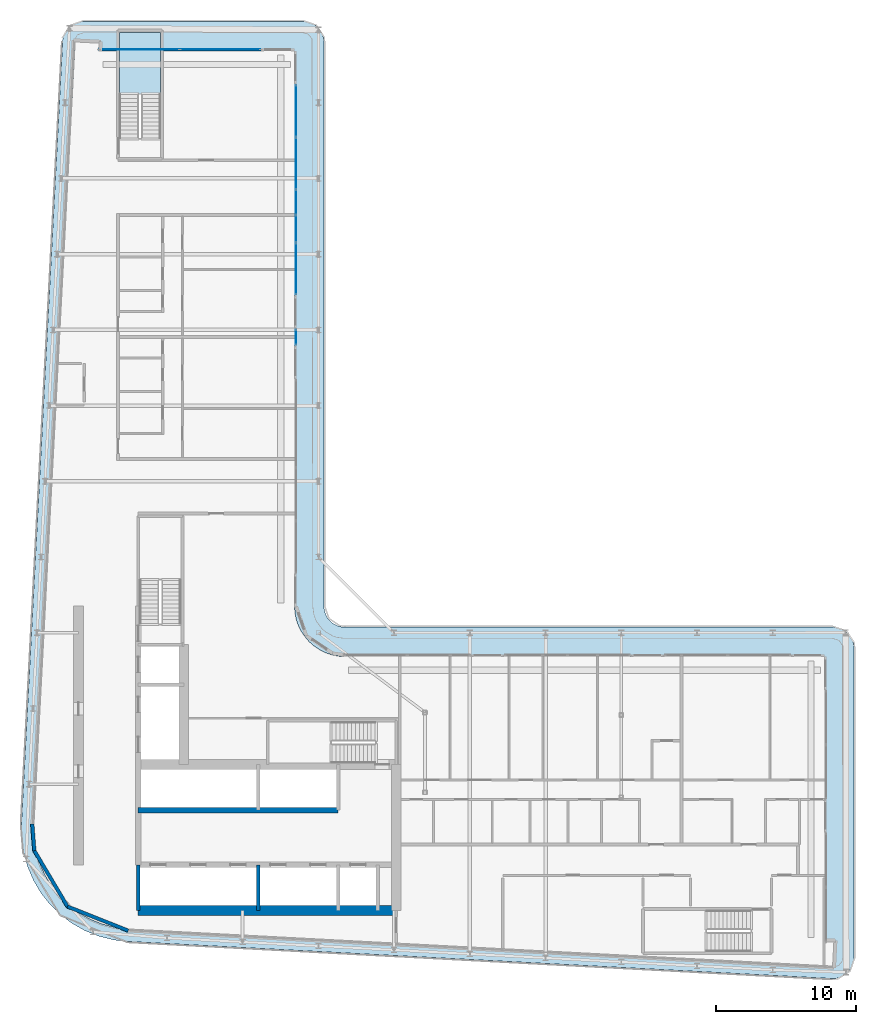
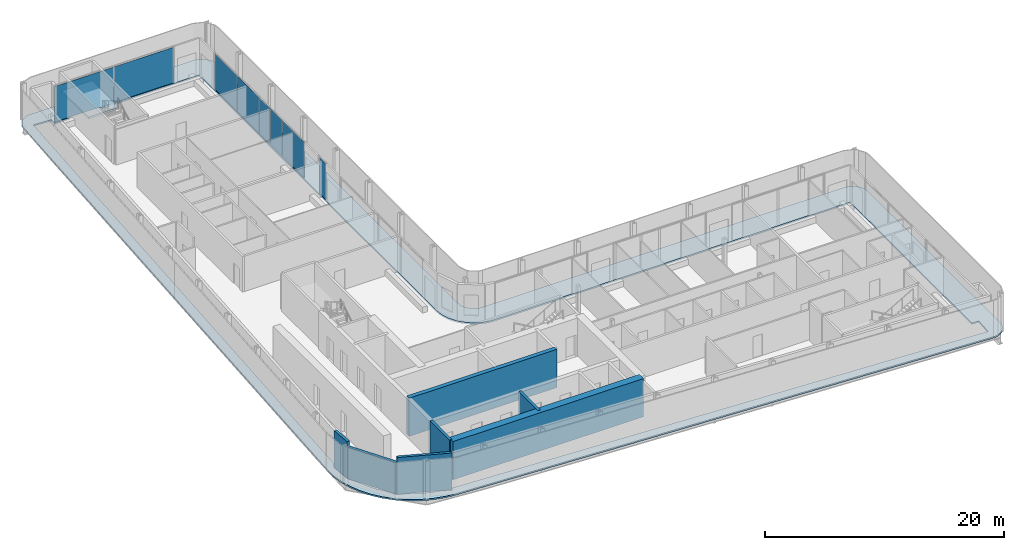
# One storey, part 9 of 21: 8 plates, 7 walls, 2 slabs, 5 elements without a shape of their own.
"""IFC4 building model written with IfcOpenShell, lengths in metres."""

from ifc_helpers import new_model, si_unit, direction, frame, frame_2d, origin, origin_2d, place, context, subcontext, project, spatial, polyline, rectangle, outline, extrude, material, layer, layer_set, type_object, element, aggregate, save


model = new_model("IFC4")

# Units and contexts
model_context = context("Model", 3, precision=1e-05, world=origin(), true_north=direction((0.0, 1.0)))
body_context = subcontext(model_context, "Body", "Model", "MODEL_VIEW")
ifc_project = project(units=[si_unit("LENGTHUNIT", "METRE"), si_unit("AREAUNIT", "SQUARE_METRE"), si_unit("VOLUMEUNIT", "CUBIC_METRE"), si_unit("PLANEANGLEUNIT", "RADIAN"), si_unit("MASSUNIT", "GRAM", prefix="KILO")], contexts=[model_context])

# Site, building, storey
site_placement = place(None, origin())
site = spatial("IfcSite", under=ifc_project, at=site_placement, CompositionType="ELEMENT")
building_placement = place(site_placement, origin())
building = spatial("IfcBuilding", under=site, at=building_placement, Name="Kheshtan School and Residences Tower", CompositionType="ELEMENT")
storey_placement = place(building_placement, frame((0.0, 0.0, 224.0)))
storey = spatial("IfcBuildingStorey", under=building, at=storey_placement, Name="L52", CompositionType="ELEMENT", Elevation=224.0)

# Curtain wall, plates
ifc_material_1 = material(Name="Clear low-e glass in thermally broken aluminium frame", Category="aluminium")
ifc_layer_1 = layer(ifc_material_1, 0.199951171875)
ifc_layer_set_1 = layer_set([ifc_layer_1], Name="Curtain wall CW-L")
curtain_wall_type = type_object("IfcCurtainWallType", Name="Curtain wall CW-L", PredefinedType="NOTDEFINED", material=ifc_layer_set_1)
curtain_wall_1_placement = place(storey_placement, origin())
curtain_wall_1 = element("IfcCurtainWall", 1, at=curtain_wall_1_placement, inside=storey, type_object=curtain_wall_type, Name="Curtain wall CWL3", PredefinedType="NOTDEFINED")
ifc_layer_2 = layer(ifc_material_1, 0.031982421875)
ifc_layer_set_2 = layer_set([ifc_layer_2], Name="CW-L glass panel")
plate_type = type_object("IfcPlateType", Name="CW-L glass panel", PredefinedType="CURTAIN_PANEL", material=ifc_layer_set_2)
plate_1_placement = place(storey_placement, frame((34.8330078125, 87.199951171875, 0.0), z_axis=(0.0, 0.0, 1.0), x_axis=(1.0, 0.0, 0.0)))
plate_1 = element("IfcPlate", 2, at=plate_1_placement, type_object=plate_type, Name="CWL3 panel 1.1", PredefinedType="CURTAIN_PANEL", context=body_context, shape_type="SweptSolid", body=[
    extrude(rectangle(XDim=5.697998046875, YDim=0.031982421875, at=origin_2d()), origin(), (0.0, 0.0, 1.0), 3.6298828125),
])
plate_2_placement = place(storey_placement, frame((40.591064453125, 87.199951171875, 0.0), z_axis=(0.0, 0.0, 1.0), x_axis=(1.0, 0.0, 0.0)))
plate_2 = element("IfcPlate", 3, at=plate_2_placement, type_object=plate_type, Name="CWL3 panel 2.1", PredefinedType="CURTAIN_PANEL", context=body_context, shape_type="SweptSolid", body=[
    extrude(rectangle(XDim=5.697998046875, YDim=0.031982421875, at=origin_2d()), origin(), (0.0, 0.0, 1.0), 3.6298828125),
])
aggregate(curtain_wall_1, [plate_1, plate_2])

curtain_wall_2_placement = place(storey_placement, origin())
curtain_wall_2 = element("IfcCurtainWall", 4, at=curtain_wall_2_placement, inside=storey, type_object=curtain_wall_type, Name="Curtain wall CWL4a", PredefinedType="NOTDEFINED")
plate_3_placement = place(storey_placement, frame((46.0, 82.8056640625, 0.0), z_axis=(0.0, 0.0, 1.0), x_axis=(0.0, -1.0, 0.0)))
plate_3 = element("IfcPlate", 5, at=plate_3_placement, type_object=plate_type, Name="CWL4a panel 1.1", PredefinedType="CURTAIN_PANEL", context=body_context, shape_type="SweptSolid", body=[
    extrude(rectangle(XDim=3.668701171875, YDim=0.031982421875, at=origin_2d()), origin(), (0.0, 0.0, 1.0), 3.6298828125),
])
plate_4_placement = place(storey_placement, frame((46.0, 79.076904296875, 0.0), z_axis=(0.0, 0.0, 1.0), x_axis=(0.0, -1.0, 0.0)))
plate_4 = element("IfcPlate", 6, at=plate_4_placement, type_object=plate_type, Name="CWL4a panel 2.1", PredefinedType="CURTAIN_PANEL", context=body_context, shape_type="SweptSolid", body=[
    extrude(rectangle(XDim=3.668701171875, YDim=0.031982421875, at=origin_2d()), origin(), (0.0, 0.0, 1.0), 3.6298828125),
])
aggregate(curtain_wall_2, [plate_3, plate_4])

curtain_wall_3_placement = place(storey_placement, origin())
curtain_wall_3 = element("IfcCurtainWall", 7, at=curtain_wall_3_placement, inside=storey, type_object=curtain_wall_type, Name="Curtain wall CWL4", PredefinedType="NOTDEFINED")
plate_5_placement = place(storey_placement, frame((46.0, 76.30615234375, 0.0), z_axis=(0.0, 0.0, 1.0), x_axis=(0.0, -1.0, 0.0)))
plate_5 = element("IfcPlate", 8, at=plate_5_placement, type_object=plate_type, Name="CWL4 panel 1.1", PredefinedType="CURTAIN_PANEL", context=body_context, shape_type="SweptSolid", body=[
    extrude(rectangle(XDim=1.75244140625, YDim=0.031982421875, at=origin_2d()), origin(), (0.0, 0.0, 1.0), 3.6298828125),
])
plate_6_placement = place(storey_placement, frame((46.0, 74.411865234375, 0.0), z_axis=(0.0, 0.0, 1.0), x_axis=(0.0, -1.0, 0.0)))
plate_6 = element("IfcPlate", 9, at=plate_6_placement, type_object=plate_type, Name="CWL4 panel 2.1", PredefinedType="CURTAIN_PANEL", context=body_context, shape_type="SweptSolid", body=[
    extrude(rectangle(XDim=1.916259765625, YDim=0.031982421875, at=origin_2d()), origin(), (0.0, 0.0, 1.0), 3.6298828125),
])
plate_7_placement = place(storey_placement, frame((46.0, 71.559326171875, 0.0), z_axis=(0.0, 0.0, 1.0), x_axis=(0.0, -1.0, 0.0)))
plate_7 = element("IfcPlate", 10, at=plate_7_placement, type_object=plate_type, Name="CWL4 panel 3.1", PredefinedType="CURTAIN_PANEL", context=body_context, shape_type="SweptSolid", body=[
    extrude(rectangle(XDim=3.668701171875, YDim=0.031982421875, at=origin_2d()), origin(), (0.0, 0.0, 1.0), 3.6298828125),
])
aggregate(curtain_wall_3, [plate_5, plate_6, plate_7])

# Curtain wall, plate
curtain_wall_4_placement = place(storey_placement, origin())
curtain_wall_4 = element("IfcCurtainWall", 11, at=curtain_wall_4_placement, inside=storey, type_object=curtain_wall_type, Name="Curtain wall CWL4h", PredefinedType="NOTDEFINED")
plate_8_placement = place(storey_placement, frame((46.0, 66.6650390625, 0.0), z_axis=(0.0, 0.0, 1.0), x_axis=(0.0, -1.0, 0.0)))
plate_8 = element("IfcPlate", 12, at=plate_8_placement, type_object=plate_type, Name="CWL4h panel 1.1", PredefinedType="CURTAIN_PANEL", context=body_context, shape_type="SweptSolid", body=[
    extrude(rectangle(XDim=1.080078125, YDim=0.031982421875, at=origin_2d()), origin(), (0.0, 0.0, 1.0), 3.6298828125),
])
aggregate(curtain_wall_4, [plate_8])

# Slab
ifc_material_2 = material(Name="Concrete C40/50", Category="concrete")
ifc_layer_3 = layer(ifc_material_2, 0.14990234375)
ifc_layer_set_3 = layer_set([ifc_layer_3], Name="Loggia balcony slab 150 Concrete C40/50")
slab_type_1 = type_object("IfcSlabType", Name="Loggia balcony slab 150 Concrete C40/50", PredefinedType="FLOOR", material=ifc_layer_set_3)
slab_1_placement = place(storey_placement, frame((0.0, 0.0, -0.14990234375)))
element("IfcSlab", 13, at=slab_1_placement, inside=storey, type_object=slab_type_1, Name="Loggia balcony slab L52", PredefinedType="FLOOR", context=body_context, shape_type="SweptSolid", body=[
    extrude(outline(polyline([(28.4580078125, 26.222900390625), (28.45703125, 26.222900390625), (28.45703125, 26.22412109375), (28.4560546875, 26.22412109375), (27.81494140625, 27.0390625), (27.281005859375, 27.93798828125), (26.867919921875, 28.89990234375), (26.583984375, 29.89990234375), (26.583984375, 29.906982421875), (26.43408203125, 30.943115234375), (26.419921875, 31.989013671875), (29.35693359375, 87.779052734375), (29.363037109375, 87.826904296875), (29.363037109375, 87.827880859375), (29.362060546875, 87.827880859375), (29.362060546875, 87.8291015625), (29.361083984375, 87.8291015625), (29.361083984375, 87.830078125), (29.360107421875, 87.830078125), (29.360107421875, 87.8310546875), (29.35888671875, 87.8310546875), (29.35888671875, 87.83203125), (29.35888671875, 87.8330078125), (29.376953125, 87.98095703125), (29.376953125, 87.98388671875), (29.376953125, 87.985107421875), (29.3779296875, 87.985107421875), (29.3779296875, 87.986083984375), (29.37890625, 87.986083984375), (29.37890625, 87.987060546875), (29.3798828125, 87.987060546875), (29.381103515625, 87.987060546875), (29.381103515625, 87.988037109375), (29.382080078125, 87.988037109375), (29.382080078125, 87.989013671875), (29.382080078125, 87.990966796875), (29.43505859375, 88.18408203125), (29.514892578125, 88.375), (29.62109375, 88.552978515625), (29.742919921875, 88.70703125), (29.743896484375, 88.70703125), (29.743896484375, 88.7080078125), (29.7451171875, 88.7080078125), (29.7451171875, 88.708984375), (29.74609375, 88.708984375), (29.74609375, 88.7099609375), (29.7470703125, 88.7099609375), (29.7470703125, 88.7109375), (29.748046875, 88.7109375), (29.748046875, 88.7119140625), (29.7490234375, 88.7119140625), (29.7490234375, 88.712890625), (29.75, 88.712890625), (29.75390625, 88.712890625), (29.7548828125, 88.712890625), (29.7548828125, 88.714111328125), (29.89990234375, 88.85693359375), (29.90087890625, 88.85693359375), (29.90087890625, 88.85791015625), (29.902099609375, 88.85791015625), (29.902099609375, 88.85888671875), (29.903076171875, 88.85888671875), (29.903076171875, 88.860107421875), (29.904052734375, 88.860107421875), (29.904052734375, 88.861083984375), (29.905029296875, 88.861083984375), (29.905029296875, 88.862060546875), (29.906005859375, 88.862060546875), (29.906005859375, 88.863037109375), (29.906982421875, 88.863037109375), (29.906982421875, 88.864013671875), (30.068115234375, 88.97705078125), (30.2509765625, 89.072998046875), (30.43896484375, 89.14306640625), (30.446044921875, 89.14306640625), (30.64794921875, 89.18603515625), (30.85498046875, 89.199951171875), (46.5, 89.199951171875), (46.696044921875, 89.18701171875), (46.887939453125, 89.14892578125), (46.89501953125, 89.14892578125), (47.073974609375, 89.0859375), (47.242919921875, 89.0009765625), (47.243896484375, 89.0009765625), (47.2470703125, 89.0009765625), (47.248046875, 89.0009765625), (47.248046875, 89.001953125), (47.2490234375, 89.001953125), (47.2490234375, 89.0029296875), (47.25, 89.0029296875), (47.2529296875, 89.0029296875), (47.25390625, 89.0029296875), (47.25390625, 89.001953125), (47.2548828125, 89.001953125), (47.2548828125, 89.0009765625), (47.256103515625, 89.0009765625), (47.256103515625, 89.0), (47.257080078125, 89.0), (47.257080078125, 88.9990234375), (47.258056640625, 88.9990234375), (47.258056640625, 88.998046875), (47.412109375, 88.89599609375), (47.4130859375, 88.89599609375), (47.4130859375, 88.89501953125), (47.4140625, 88.89501953125), (47.4140625, 88.89404296875), (47.4140625, 88.889892578125), (47.4140625, 88.888916015625), (47.4150390625, 88.888916015625), (47.4150390625, 88.887939453125), (47.416015625, 88.887939453125), (47.416015625, 88.886962890625), (47.4169921875, 88.886962890625), (47.4169921875, 88.885986328125), (47.554931640625, 88.76806640625), (47.554931640625, 88.76708984375), (47.555908203125, 88.76708984375), (47.555908203125, 88.76611328125), (47.556884765625, 88.76611328125), (47.556884765625, 88.764892578125), (47.55810546875, 88.764892578125), (47.55810546875, 88.763916015625), (47.55908203125, 88.763916015625), (47.55908203125, 88.762939453125), (47.56005859375, 88.762939453125), (47.56005859375, 88.761962890625), (47.56103515625, 88.761962890625), (47.56201171875, 88.760986328125), (47.56201171875, 88.760009765625), (47.56298828125, 88.760009765625), (47.56298828125, 88.759033203125), (47.56396484375, 88.759033203125), (47.56396484375, 88.758056640625), (47.56494140625, 88.758056640625), (47.56494140625, 88.757080078125), (47.56591796875, 88.757080078125), (47.56591796875, 88.756103515625), (47.56689453125, 88.756103515625), (47.56689453125, 88.7548828125), (47.568115234375, 88.7548828125), (47.68505859375, 88.617919921875), (47.68603515625, 88.617919921875), (47.68603515625, 88.616943359375), (47.68701171875, 88.616943359375), (47.68701171875, 88.615966796875), (47.68798828125, 88.615966796875), (47.68798828125, 88.614990234375), (47.68896484375, 88.614990234375), (47.68896484375, 88.614013671875), (47.68994140625, 88.614013671875), (47.694091796875, 88.614013671875), (47.695068359375, 88.614013671875), (47.695068359375, 88.613037109375), (47.696044921875, 88.613037109375), (47.696044921875, 88.612060546875), (47.797119140625, 88.458984375), (47.798095703125, 88.458984375), (47.798095703125, 88.4580078125), (47.799072265625, 88.4580078125), (47.799072265625, 88.45703125), (47.800048828125, 88.45703125), (47.800048828125, 88.4560546875), (47.801025390625, 88.4560546875), (47.801025390625, 88.455078125), (47.802001953125, 88.455078125), (47.802001953125, 88.4541015625), (47.802978515625, 88.4541015625), (47.802978515625, 88.452880859375), (47.802978515625, 88.449951171875), (47.802978515625, 88.448974609375), (47.802001953125, 88.448974609375), (47.802001953125, 88.447998046875), (47.801025390625, 88.447998046875), (47.801025390625, 88.447021484375), (47.801025390625, 88.443115234375), (47.801025390625, 88.44189453125), (47.885986328125, 88.27392578125), (47.948974609375, 88.094970703125), (47.948974609375, 88.087890625), (47.987060546875, 87.89599609375), (48.0, 87.699951171875), (48.0, 47.5), (48.012939453125, 47.303955078125), (48.051025390625, 47.113037109375), (48.051025390625, 47.10693359375), (48.051025390625, 47.10595703125), (48.114013671875, 46.926025390625), (48.200927734375, 46.75), (48.31005859375, 46.5869140625), (48.431884765625, 46.444091796875), (48.43310546875, 46.444091796875), (48.43310546875, 46.443115234375), (48.43408203125, 46.443115234375), (48.43408203125, 46.44189453125), (48.43505859375, 46.44189453125), (48.43505859375, 46.44091796875), (48.43603515625, 46.44091796875), (48.43603515625, 46.43994140625), (48.43701171875, 46.43994140625), (48.43701171875, 46.43896484375), (48.43798828125, 46.43896484375), (48.43896484375, 46.43798828125), (48.43896484375, 46.43701171875), (48.43994140625, 46.43701171875), (48.43994140625, 46.43603515625), (48.44091796875, 46.43603515625), (48.44091796875, 46.43505859375), (48.44189453125, 46.43505859375), (48.44189453125, 46.43408203125), (48.443115234375, 46.43408203125), (48.443115234375, 46.43310546875), (48.444091796875, 46.43310546875), (48.444091796875, 46.431884765625), (48.5869140625, 46.31005859375), (48.75, 46.200927734375), (48.926025390625, 46.114013671875), (49.10595703125, 46.051025390625), (49.10693359375, 46.051025390625), (49.113037109375, 46.051025390625), (49.303955078125, 46.012939453125), (49.5, 46.0), (84.300048828125, 46.0), (84.49609375, 45.987060546875), (84.68798828125, 45.948974609375), (84.695068359375, 45.948974609375), (84.8740234375, 45.885986328125), (85.0419921875, 45.801025390625), (85.04296875, 45.801025390625), (85.047119140625, 45.801025390625), (85.048095703125, 45.801025390625), (85.048095703125, 45.802001953125), (85.049072265625, 45.802001953125), (85.049072265625, 45.802978515625), (85.050048828125, 45.802978515625), (85.052978515625, 45.802978515625), (85.053955078125, 45.802978515625), (85.053955078125, 45.802001953125), (85.054931640625, 45.802001953125), (85.054931640625, 45.801025390625), (85.055908203125, 45.801025390625), (85.055908203125, 45.800048828125), (85.056884765625, 45.800048828125), (85.056884765625, 45.799072265625), (85.05810546875, 45.799072265625), (85.05810546875, 45.798095703125), (85.05908203125, 45.798095703125), (85.05908203125, 45.797119140625), (85.06005859375, 45.797119140625), (85.06005859375, 45.7958984375), (85.2119140625, 45.696044921875), (85.212890625, 45.696044921875), (85.212890625, 45.695068359375), (85.214111328125, 45.695068359375), (85.214111328125, 45.694091796875), (85.214111328125, 45.68994140625), (85.214111328125, 45.68896484375), (85.215087890625, 45.68896484375), (85.215087890625, 45.68798828125), (85.216064453125, 45.68798828125), (85.216064453125, 45.68701171875), (85.217041015625, 45.68701171875), (85.217041015625, 45.68603515625), (85.218017578125, 45.68603515625), (85.218017578125, 45.68505859375), (85.218994140625, 45.68505859375), (85.218994140625, 45.68408203125), (85.35498046875, 45.568115234375), (85.35498046875, 45.56689453125), (85.35595703125, 45.56689453125), (85.35595703125, 45.56591796875), (85.35693359375, 45.56591796875), (85.35693359375, 45.56494140625), (85.35791015625, 45.56494140625), (85.35791015625, 45.56396484375), (85.35888671875, 45.56396484375), (85.35888671875, 45.56298828125), (85.360107421875, 45.56298828125), (85.360107421875, 45.56201171875), (85.361083984375, 45.56201171875), (85.362060546875, 45.56103515625), (85.362060546875, 45.56005859375), (85.363037109375, 45.56005859375), (85.363037109375, 45.55908203125), (85.364013671875, 45.55908203125), (85.364013671875, 45.55810546875), (85.364990234375, 45.55810546875), (85.364990234375, 45.556884765625), (85.365966796875, 45.556884765625), (85.365966796875, 45.555908203125), (85.366943359375, 45.555908203125), (85.366943359375, 45.554931640625), (85.367919921875, 45.554931640625), (85.48193359375, 45.4208984375), (85.48291015625, 45.4208984375), (85.48291015625, 45.419921875), (85.48388671875, 45.419921875), (85.48388671875, 45.4189453125), (85.485107421875, 45.4189453125), (85.485107421875, 45.41796875), (85.486083984375, 45.41796875), (85.486083984375, 45.4169921875), (85.487060546875, 45.4169921875), (85.487060546875, 45.416015625), (85.488037109375, 45.416015625), (85.488037109375, 45.4150390625), (85.489013671875, 45.4150390625), (85.489013671875, 45.4140625), (85.489990234375, 45.4140625), (85.493896484375, 45.4140625), (85.4951171875, 45.4140625), (85.4951171875, 45.4130859375), (85.49609375, 45.4130859375), (85.49609375, 45.412109375), (85.593994140625, 45.261962890625), (85.594970703125, 45.261962890625), (85.594970703125, 45.260986328125), (85.595947265625, 45.260986328125), (85.595947265625, 45.260009765625), (85.596923828125, 45.260009765625), (85.596923828125, 45.259033203125), (85.597900390625, 45.259033203125), (85.597900390625, 45.258056640625), (85.59912109375, 45.258056640625), (85.59912109375, 45.257080078125), (85.60009765625, 45.257080078125), (85.60009765625, 45.256103515625), (85.60107421875, 45.256103515625), (85.60107421875, 45.2548828125), (85.60205078125, 45.2548828125), (85.60205078125, 45.25390625), (85.60302734375, 45.25390625), (85.60302734375, 45.2529296875), (85.60302734375, 45.25), (85.60302734375, 45.2490234375), (85.60205078125, 45.2490234375), (85.60205078125, 45.248046875), (85.60107421875, 45.248046875), (85.60107421875, 45.2470703125), (85.60107421875, 45.240966796875), (85.60107421875, 45.239990234375), (85.68603515625, 45.073974609375), (85.7490234375, 44.89501953125), (85.7490234375, 44.887939453125), (85.787109375, 44.696044921875), (85.800048828125, 44.5), (85.800048828125, 22.43408203125), (85.785888671875, 22.23095703125), (85.7451171875, 22.032958984375), (85.7451171875, 22.02587890625), (85.677978515625, 21.841064453125), (85.5859375, 21.660888671875), (85.470947265625, 21.49609375), (85.470947265625, 21.4951171875), (85.470947265625, 21.493896484375), (85.470947265625, 21.492919921875), (85.471923828125, 21.492919921875), (85.471923828125, 21.491943359375), (85.471923828125, 21.489990234375), (85.471923828125, 21.489013671875), (85.470947265625, 21.489013671875), (85.470947265625, 21.488037109375), (85.337890625, 21.343994140625), (85.3349609375, 21.341064453125), (85.333984375, 21.341064453125), (85.333984375, 21.340087890625), (85.3330078125, 21.340087890625), (85.3310546875, 21.340087890625), (85.330078125, 21.340087890625), (85.330078125, 21.341064453125), (85.3291015625, 21.341064453125), (85.327880859375, 21.341064453125), (85.326904296875, 21.341064453125), (85.176025390625, 21.216064453125), (85.00390625, 21.10888671875), (84.819091796875, 21.02587890625), (84.631103515625, 20.968994140625), (84.6240234375, 20.968994140625), (84.424072265625, 20.93896484375), (84.220947265625, 20.93603515625), (33.989013671875, 23.580078125), (33.94189453125, 23.5859375), (33.94091796875, 23.5859375), (33.93994140625, 23.5859375), (33.93994140625, 23.5849609375), (33.93896484375, 23.5849609375), (33.93896484375, 23.583984375), (33.93798828125, 23.583984375), (33.93798828125, 23.5830078125), (33.93701171875, 23.5830078125), (33.93701171875, 23.58203125), (33.93603515625, 23.58203125), (33.93505859375, 23.58203125), (32.952880859375, 23.697998046875), (32.949951171875, 23.697998046875), (32.948974609375, 23.697998046875), (32.948974609375, 23.698974609375), (32.947998046875, 23.698974609375), (32.947998046875, 23.699951171875), (32.947021484375, 23.699951171875), (32.947021484375, 23.700927734375), (32.947021484375, 23.702880859375), (32.947021484375, 23.7041015625), (32.946044921875, 23.7041015625), (32.946044921875, 23.705078125), (32.945068359375, 23.705078125), (32.944091796875, 23.705078125), (31.93603515625, 23.9609375), (31.928955078125, 23.9609375), (30.964111328125, 24.34912109375), (30.051025390625, 24.860107421875), (29.218994140625, 25.47900390625), (29.218994140625, 25.47998046875), (29.218017578125, 25.47998046875), (29.218017578125, 25.48095703125), (29.217041015625, 25.48095703125), (29.217041015625, 25.48193359375), (29.216064453125, 25.48193359375), (29.216064453125, 25.48291015625), (29.215087890625, 25.48291015625), (29.215087890625, 25.48388671875), (29.214111328125, 25.48388671875), (29.214111328125, 25.485107421875), (29.212890625, 25.485107421875), (29.212890625, 25.486083984375), (29.2119140625, 25.486083984375), (28.468017578125, 26.217041015625), (28.468017578125, 26.218017578125), (28.467041015625, 26.218017578125), (28.462890625, 26.218017578125), (28.4619140625, 26.218017578125), (28.4619140625, 26.218994140625), (28.4609375, 26.218994140625), (28.4609375, 26.219970703125), (28.4599609375, 26.219970703125), (28.4599609375, 26.220947265625), (28.458984375, 26.220947265625), (28.458984375, 26.221923828125), (28.4580078125, 26.221923828125), (28.4580078125, 26.222900390625)]), holes=[polyline([(27.466064453125, 30.0869140625), (27.718017578125, 29.200927734375), (28.0849609375, 28.345947265625), (28.55908203125, 27.550048828125), (29.126953125, 26.825927734375), (29.1279296875, 26.825927734375), (29.1279296875, 26.824951171875), (29.12890625, 26.824951171875), (29.12890625, 26.823974609375), (29.1298828125, 26.823974609375), (29.1298828125, 26.822998046875), (29.131103515625, 26.822998046875), (29.131103515625, 26.822021484375), (29.132080078125, 26.822021484375), (29.132080078125, 26.821044921875), (29.133056640625, 26.821044921875), (29.133056640625, 26.820068359375), (29.134033203125, 26.820068359375), (29.7939453125, 26.173095703125), (29.7939453125, 26.172119140625), (29.794921875, 26.172119140625), (29.798095703125, 26.172119140625), (29.799072265625, 26.172119140625), (29.799072265625, 26.1708984375), (29.800048828125, 26.1708984375), (29.800048828125, 26.169921875), (29.801025390625, 26.169921875), (29.801025390625, 26.1689453125), (29.802001953125, 26.1689453125), (29.802001953125, 26.16796875), (29.802978515625, 26.16796875), (29.802978515625, 26.1669921875), (29.803955078125, 26.1669921875), (29.803955078125, 26.166015625), (30.541015625, 25.616943359375), (31.35205078125, 25.1630859375), (32.208984375, 24.819091796875), (32.2099609375, 24.819091796875), (32.216064453125, 24.819091796875), (33.114990234375, 24.590087890625), (34.06591796875, 24.47705078125), (84.238037109375, 21.8359375), (84.264892578125, 21.8369140625), (84.26611328125, 21.8369140625), (84.26708984375, 21.8369140625), (84.26708984375, 21.837890625), (84.26806640625, 21.837890625), (84.26806640625, 21.839111328125), (84.26806640625, 21.840087890625), (84.35791015625, 23.529052734375), (84.35791015625, 23.530029296875), (84.35791015625, 23.531005859375), (84.35693359375, 23.531005859375), (84.35693359375, 23.531982421875), (84.35595703125, 23.531982421875), (84.35498046875, 23.531982421875), (83.700927734375, 23.56689453125), (83.699951171875, 23.56689453125), (83.699951171875, 23.568115234375), (83.699951171875, 43.89794921875), (83.699951171875, 43.89892578125), (83.698974609375, 43.89892578125), (83.698974609375, 43.89990234375), (83.697998046875, 43.89990234375), (49.429931640625, 43.89990234375), (49.030029296875, 43.927001953125), (48.569091796875, 44.01806640625), (48.56201171875, 44.01806640625), (48.1201171875, 44.169921875), (47.697021484375, 44.37890625), (47.30810546875, 44.638916015625), (46.95703125, 44.944091796875), (46.95703125, 44.945068359375), (46.9560546875, 44.945068359375), (46.9560546875, 44.946044921875), (46.955078125, 44.946044921875), (46.955078125, 44.947021484375), (46.9541015625, 44.947021484375), (46.9541015625, 44.947998046875), (46.952880859375, 44.947998046875), (46.952880859375, 44.948974609375), (46.951904296875, 44.948974609375), (46.951904296875, 44.949951171875), (46.951904296875, 44.950927734375), (46.950927734375, 44.950927734375), (46.950927734375, 44.951904296875), (46.949951171875, 44.951904296875), (46.948974609375, 44.951904296875), (46.948974609375, 44.952880859375), (46.947998046875, 44.952880859375), (46.947998046875, 44.9541015625), (46.947021484375, 44.9541015625), (46.947021484375, 44.955078125), (46.946044921875, 44.955078125), (46.946044921875, 44.9560546875), (46.945068359375, 44.9560546875), (46.945068359375, 44.95703125), (46.944091796875, 44.95703125), (46.638916015625, 45.30810546875), (46.37890625, 45.697021484375), (46.169921875, 46.1201171875), (46.01806640625, 46.56201171875), (46.01806640625, 46.569091796875), (45.927001953125, 47.030029296875), (45.89990234375, 47.429931640625), (45.89990234375, 87.097900390625), (45.89990234375, 87.09912109375), (45.89892578125, 87.09912109375), (45.89892578125, 87.10009765625), (45.89794921875, 87.10009765625), (36.35009765625, 87.10009765625), (36.35009765625, 88.4599609375), (33.39990234375, 88.4599609375), (33.39990234375, 87.10009765625), (31.925048828125, 87.10009765625), (31.924072265625, 87.10009765625), (31.952880859375, 87.638916015625), (31.952880859375, 87.639892578125), (31.952880859375, 87.64111328125), (31.951904296875, 87.64111328125), (31.951904296875, 87.64208984375), (31.950927734375, 87.64208984375), (31.949951171875, 87.64208984375), (30.260986328125, 87.73193359375), (30.260009765625, 87.73193359375), (30.259033203125, 87.73193359375), (30.259033203125, 87.73095703125), (30.258056640625, 87.73095703125), (30.258056640625, 87.72998046875), (30.258056640625, 87.72900390625), (30.25390625, 87.700927734375), (27.320068359375, 31.970947265625), (27.3330078125, 31.013916015625), (27.466064453125, 30.093994140625), (27.466064453125, 30.087890625), (27.466064453125, 30.0869140625)])]), origin(), (0.0, 0.0, 1.0), 0.14990234375),
])

# Stair, slab
stair_type = type_object("IfcStairType", Name="Exit stair, half-turn", PredefinedType="HALF_TURN_STAIR", material=ifc_material_2)
stair_placement = place(storey_placement, origin())
stair = element("IfcStair", 14, at=stair_placement, inside=storey, type_object=stair_type, Name="L52 Protected Exit Stair ST3", PredefinedType="HALF_TURN_STAIR")
ifc_layer_4 = layer(ifc_material_2, 0.199951171875)
ifc_layer_set_4 = layer_set([ifc_layer_4], Name="Stair landing 200 Concrete C40/50")
slab_type_2 = type_object("IfcSlabType", Name="Stair landing 200 Concrete C40/50", PredefinedType="LANDING", material=ifc_layer_set_4)
slab_2_placement = place(storey_placement, frame((0.0, 0.0, 1.75)))
slab_2 = element("IfcSlab", 15, at=slab_2_placement, type_object=slab_type_2, Name="ST3 landing 1", PredefinedType="LANDING", context=body_context, shape_type="SweptSolid", body=[
    extrude(outline(polyline([(36.35009765625, 83.97998046875), (36.35009765625, 88.4599609375), (33.39990234375, 88.4599609375), (33.39990234375, 83.97998046875), (36.35009765625, 83.97998046875)])), origin(), (0.0, 0.0, 1.0), 0.199951171875),
])
aggregate(stair, [slab_2])

# Walls
ifc_material_3 = material(Name="Concrete C50/60", Category="concrete")
ifc_layer_5 = layer(ifc_material_3, 0.39990234375)
ifc_layer_set_5 = layer_set([ifc_layer_5], Name="Core wall 400 Concrete C50/60")
wall_type_1 = type_object("IfcWallType", Name="Core wall 400 Concrete C50/60", PredefinedType="SHEAR", material=ifc_layer_set_5)
wall_1_placement = place(storey_placement, frame((34.75, 32.949951171875, 0.0), z_axis=(0.0, 0.0, 1.0), x_axis=(1.0, 0.0, 0.0)))
element("IfcWall", 16, at=wall_1_placement, inside=storey, type_object=wall_type_1, Name="Core wall CW-HALL-S2", PredefinedType="SHEAR", context=body_context, shape_type="SweptSolid", body=[
    extrude(rectangle(XDim=14.25, YDim=0.39990234375, at=frame_2d((7.125, 0.0))), origin(), (0.0, 0.0, 1.0), 3.89990234375),
])
ifc_material_4 = material(Name="Concrete C70/85", Category="concrete")
ifc_layer_6 = layer(ifc_material_4, 0.699951171875)
ifc_layer_set_6 = layer_set([ifc_layer_6], Name="Core wall 700 Concrete C70/85")
wall_type_2 = type_object("IfcWallType", Name="Core wall 700 Concrete C70/85", PredefinedType="SHEAR", material=ifc_layer_set_6)
wall_2_placement = place(storey_placement, frame((34.75, 25.800048828125, 0.0), z_axis=(0.0, 0.0, 1.0), x_axis=(1.0, 0.0, 0.0)))
element("IfcWall", 17, at=wall_2_placement, inside=storey, type_object=wall_type_2, Name="Core wall CW-REAR-S", PredefinedType="SHEAR", context=body_context, shape_type="SweptSolid", body=[
    extrude(rectangle(XDim=18.39990234375, YDim=0.699951171875, at=frame_2d((9.199951171875, 0.0))), origin(), (0.0, 0.0, 1.0), 3.89990234375),
])
ifc_material_5 = material(Name="Concrete C40/50 with ceramic cladding and mineral wool insulation", Category="concrete")
ifc_layer_7 = layer(ifc_material_5, 0.25)
ifc_layer_set_7 = layer_set([ifc_layer_7], Name="External wall 250 ceramic clad")
wall_type_3 = type_object("IfcWallType", Name="External wall 250 ceramic clad", PredefinedType="SOLIDWALL", material=ifc_layer_set_7)
wall_3_placement = place(storey_placement, frame((34.0390625, 24.35302734375, 0.0), z_axis=(0.0, 0.0, 1.0), x_axis=(-0.929352825399, 0.369192803184, 0.0)))
element("IfcWall", 18, at=wall_3_placement, inside=storey, type_object=wall_type_3, Name="External wall L52 13", PredefinedType="SOLIDWALL", context=body_context, shape_type="SweptSolid", body=[
    extrude(rectangle(XDim=4.656005859375, YDim=0.25, at=frame_2d((2.328125, 0.0))), origin(), (0.0, 0.0, 1.0), 3.75),
])
wall_4_placement = place(storey_placement, frame((29.7119140625, 26.072021484375, 0.0), z_axis=(0.0, 0.0, 1.0), x_axis=(-0.511028049012, 0.859564036662, 0.0)))
element("IfcWall", 19, at=wall_4_placement, inside=storey, type_object=wall_type_3, Name="External wall L52 14", PredefinedType="SOLIDWALL", context=body_context, shape_type="SweptSolid", body=[
    extrude(rectangle(XDim=4.633544921875, YDim=0.25, at=frame_2d((2.31689453125, 0.0))), origin(), (0.0, 0.0, 1.0), 3.217041015625),
])
wall_5_placement = place(storey_placement, frame((27.343994140625, 30.054931640625, 0.0), z_axis=(0.0, 0.0, 1.0), x_axis=(-0.077571675317, 0.99698677784, 0.0)))
element("IfcWall", 20, at=wall_5_placement, inside=storey, type_object=wall_type_3, Name="External wall L52 15", PredefinedType="SOLIDWALL", context=body_context, shape_type="SweptSolid", body=[
    extrude(rectangle(XDim=1.919921875, YDim=0.25, at=frame_2d((0.9599609375, 0.0))), origin(), (0.0, 0.0, 1.0), 3.75),
])
ifc_material_6 = material(Name="Fire-board shaft wall system")
ifc_layer_8 = layer(ifc_material_6, 0.25)
ifc_layer_set_8 = layer_set([ifc_layer_8], Name="Shaft lining wall 250")
wall_type_4 = type_object("IfcWallType", Name="Shaft lining wall 250", PredefinedType="PARTITIONING", material=ifc_layer_set_8)
for number, where, z_axis, x_axis, name in (
    (21, (34.75, 25.800048828125, 0.0), (0.0, 0.0, 1.0), (0.0, 1.0, 0.0), "Shaft lining wall"),
    (22, (43.300048828125, 25.800048828125, 0.0), (0.0, 0.0, 1.0), (0.0, 1.0, 0.0), "Shaft lining wall"),
):
    element("IfcWall", number, at=place(storey_placement, frame(where, z_axis=z_axis, x_axis=x_axis)), inside=storey, type_object=wall_type_4, Name=name, PredefinedType="PARTITIONING", context=body_context, shape_type="SweptSolid", body=[
        extrude(rectangle(XDim=3.25, YDim=0.25, at=frame_2d((1.625, 0.0))), origin(), (0.0, 0.0, 1.0), 3.89990234375),
    ])

save(model, "model.ifc")
